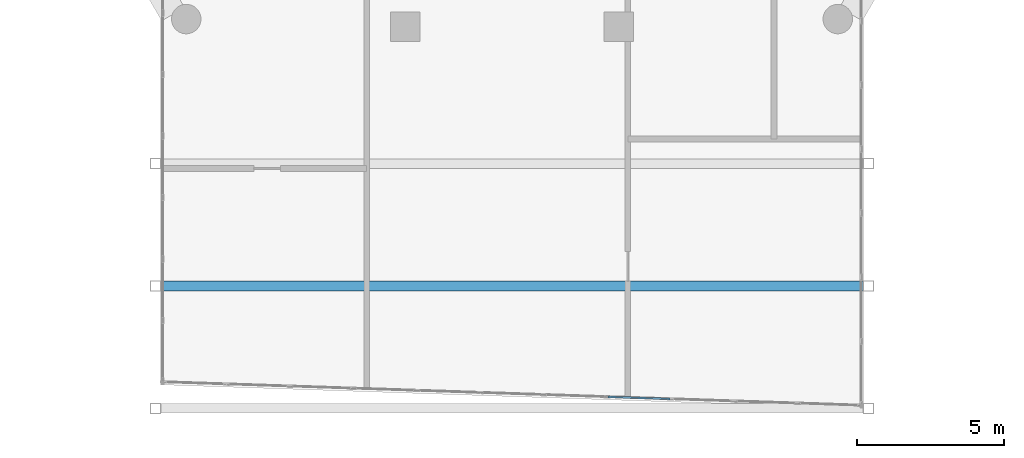
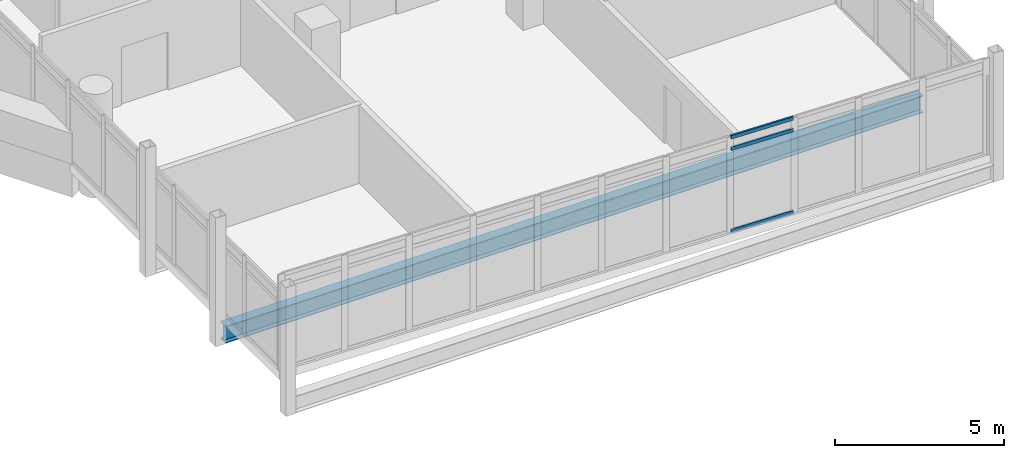
# One storey, part 6 of 29: 3 members, 1 beam, 1 element without a shape of its own.
"""IFC4 building model written with IfcOpenShell, lengths in metres."""

from ifc_helpers import new_model, si_unit, direction, frame, origin, origin_2d, place, context, subcontext, project, spatial, hollow_rectangle, i_section, extrude, material, material_profile, profile_set, type_object, element, aggregate, save


model = new_model("IFC4")

# Units and contexts
model_context = context("Model", 3, precision=1e-05, world=origin(), true_north=direction((0.0, 1.0)))
body_context = subcontext(model_context, "Body", "Model", "MODEL_VIEW")
ifc_project = project(units=[si_unit("LENGTHUNIT", "METRE"), si_unit("AREAUNIT", "SQUARE_METRE"), si_unit("VOLUMEUNIT", "CUBIC_METRE"), si_unit("PLANEANGLEUNIT", "RADIAN"), si_unit("MASSUNIT", "GRAM", prefix="KILO")], contexts=[model_context])

# Site, building, storey
site_placement = place(None, origin())
site = spatial("IfcSite", under=ifc_project, at=site_placement, CompositionType="ELEMENT")
building_placement = place(site_placement, origin())
building = spatial("IfcBuilding", under=site, at=building_placement, Name="Ostrander Bayou Hotel Tower", CompositionType="ELEMENT")
storey_placement = place(building_placement, frame((0.0, 0.0, 205.75)))
storey = spatial("IfcBuildingStorey", under=building, at=storey_placement, Name="L51", CompositionType="ELEMENT", Elevation=205.75)

# Curtain wall, members
ifc_material_1 = material(Name="Aluminium and clear glass", Category="aluminium")
curtain_wall_type = type_object("IfcCurtainWallType", Name="CW-BAR glazed wall", PredefinedType="NOTDEFINED", material=ifc_material_1)
curtain_wall_placement = place(storey_placement, origin())
curtain_wall = element("IfcCurtainWall", 1, at=curtain_wall_placement, inside=storey, type_object=curtain_wall_type, Name="CW-BAR L51:SB4S:T", PredefinedType="NOTDEFINED")
ifc_material_2 = material(Name="Aluminium", Category="aluminium")
ifc_material_profile_1 = material_profile(ifc_material_2, hollow_rectangle(XDim=0.06005859375, YDim=0.1298828125, WallThickness=0.00390625, at=origin_2d()))
ifc_profile_set_1 = profile_set([ifc_material_profile_1], Name="Aluminium")
member_type = type_object("IfcMemberType", Name="CW-BR transom 60 x 130 mm", PredefinedType="USERDEFINED", material=ifc_profile_set_1)
member_1_placement = place(storey_placement, frame((3.263671875, -29.759521484375, 0.030029296875), z_axis=(0.999441672059, -0.033411736736, 0.0), x_axis=(0.033411736736, 0.999441672059, 0.0)))
member_1 = element("IfcMember", 2, at=member_1_placement, type_object=member_type, Name="CW-BAR transom 8.1", ObjectType="TRANSOM", PredefinedType="USERDEFINED", context=body_context, shape_type="SweptSolid", body=[
    extrude(hollow_rectangle(XDim=0.06005859375, YDim=0.1298828125, WallThickness=0.00390625, at=origin_2d()), origin(), (0.0, 0.0, 1.0), 2.09716796875),
])
member_2_placement = place(storey_placement, frame((3.263671875, -29.759521484375, 3.0), z_axis=(0.999441672059, -0.033411736736, 0.0), x_axis=(0.033411736736, 0.999441672059, 0.0)))
member_2 = element("IfcMember", 3, at=member_2_placement, type_object=member_type, Name="CW-BAR transom 8.2", ObjectType="TRANSOM", PredefinedType="USERDEFINED", context=body_context, shape_type="SweptSolid", body=[
    extrude(hollow_rectangle(XDim=0.06005859375, YDim=0.1298828125, WallThickness=0.00390625, at=origin_2d()), origin(), (0.0, 0.0, 1.0), 2.09716796875),
])
member_3_placement = place(storey_placement, frame((3.263671875, -29.759521484375, 3.419921875), z_axis=(0.999441672059, -0.033411736736, 0.0), x_axis=(0.033411736736, 0.999441672059, 0.0)))
member_3 = element("IfcMember", 4, at=member_3_placement, type_object=member_type, Name="CW-BAR transom 8.3", ObjectType="TRANSOM", PredefinedType="USERDEFINED", context=body_context, shape_type="SweptSolid", body=[
    extrude(hollow_rectangle(XDim=0.06005859375, YDim=0.1298828125, WallThickness=0.00390625, at=origin_2d()), origin(), (0.0, 0.0, 1.0), 2.09716796875),
])
aggregate(curtain_wall, [member_1, member_2, member_3])

# Beam
ifc_material_3 = material(Name="Steel ASTM A992", Category="steel")
ifc_material_profile_2 = material_profile(ifc_material_3, i_section(OverallWidth=0.32373046875, OverallDepth=0.611083984375, WebThickness=0.0126953125, FlangeThickness=0.01904296875, at=origin_2d()))
ifc_profile_set_2 = profile_set([ifc_material_profile_2], Name="Steel ASTM A992")
beam_type = type_object("IfcBeamType", Name="TF2 bar floor beam W24x104", PredefinedType="BEAM", material=ifc_profile_set_2)
beam_placement = place(storey_placement, frame((-11.93212890625, -25.995361328125, -0.605712890625), z_axis=(1.0, 0.0, 0.0), x_axis=(0.0, 1.0, 0.0)))
element("IfcBeam", 5, at=beam_placement, inside=storey, type_object=beam_type, Name="TF2 SB4S L4-2", PredefinedType="BEAM", context=body_context, shape_type="SweptSolid", body=[
    extrude(i_section(OverallWidth=0.32373046875, OverallDepth=0.611083984375, WebThickness=0.0126953125, FlangeThickness=0.01904296875, at=origin_2d()), origin(), (0.0, 0.0, 1.0), 23.8642578125),
])

save(model, "model.ifc")
